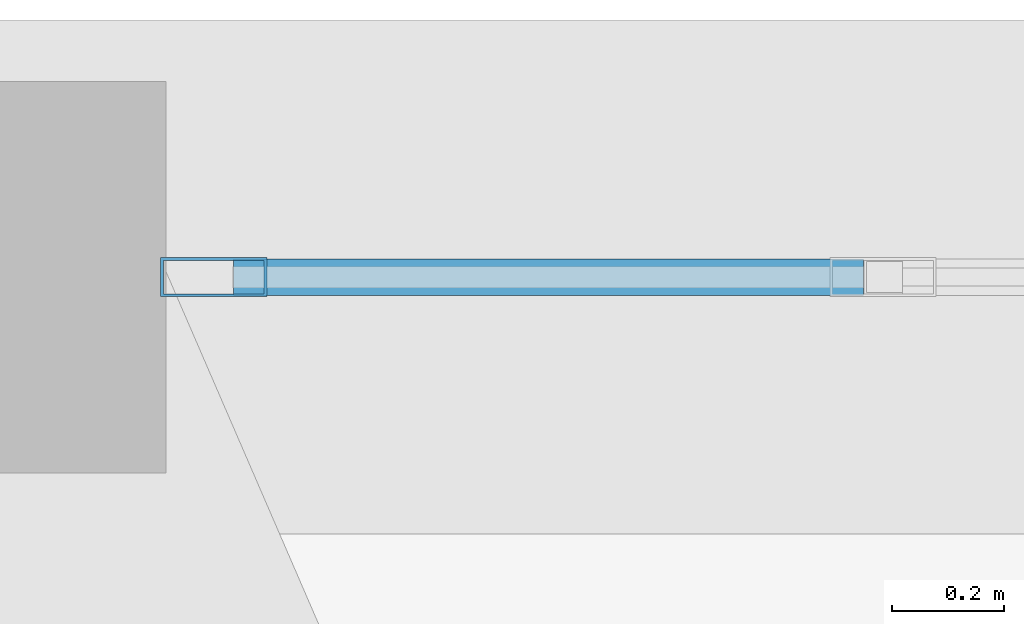
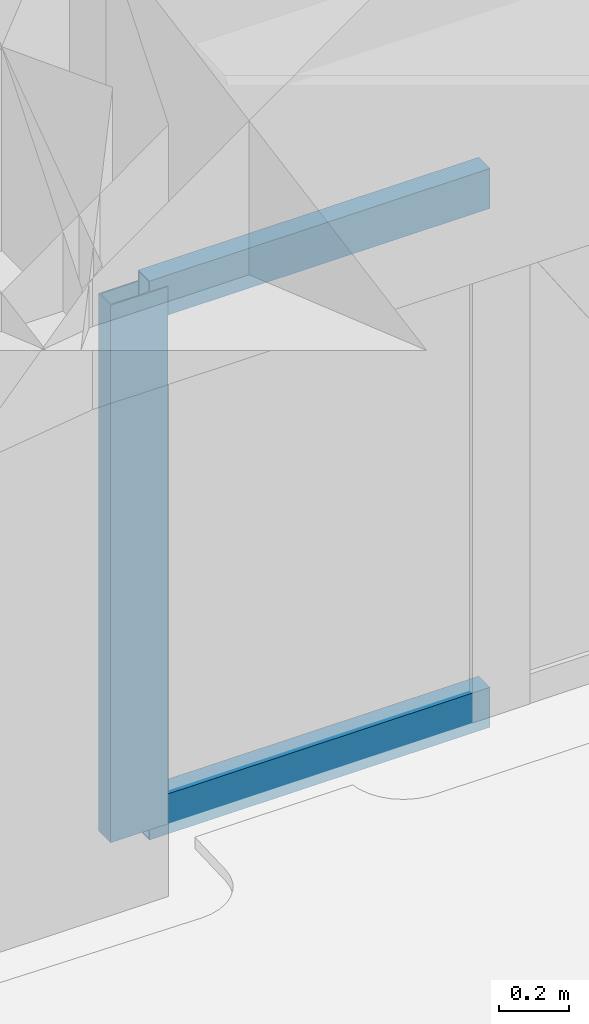
# One storey, part 9 of 16: 3 members, 1 element without a shape of its own.
"""IFC4 building model written with IfcOpenShell, lengths in metres."""

from ifc_helpers import new_model, si_unit, derived_unit, direction, frame, origin, origin_2d, place, context, subcontext, project, spatial, hollow_rectangle, extrude, source, transform, mapped, material, layer, layer_set, material_profile, profile_set, type_object, element, aggregate, save


model = new_model("IFC4")

# Units and contexts
model_context = context("Model", 3, precision=1e-05, world=origin(), true_north=direction((0.0, 1.0)))
body_context = subcontext(model_context, "Body", "Model", "MODEL_VIEW")
ifc_project = project(units=[si_unit("LENGTHUNIT", "METRE"), si_unit("AREAUNIT", "SQUARE_METRE"), si_unit("VOLUMEUNIT", "CUBIC_METRE"), si_unit("PLANEANGLEUNIT", "RADIAN"), si_unit("MASSUNIT", "GRAM", prefix="KILO"), derived_unit("THERMALTRANSMITTANCEUNIT", [(si_unit("POWERUNIT", "WATT"), 1), (si_unit("LENGTHUNIT", "METRE"), -2), (si_unit("THERMODYNAMICTEMPERATUREUNIT", "KELVIN"), -1)])], contexts=[model_context])

# Site, building, storey
site_placement = place(None, origin())
site = spatial("IfcSite", under=ifc_project, at=site_placement, CompositionType="ELEMENT")
building_placement = place(site_placement, origin())
building = spatial("IfcBuilding", under=site, at=building_placement, Name="Korsvarv Bourse and Concert Hall", CompositionType="ELEMENT")
storey_placement = place(building_placement, frame((0.0, 0.0, 261.0)))
storey = spatial("IfcBuildingStorey", under=building, at=storey_placement, Name="L68", CompositionType="ELEMENT", Elevation=261.0)

# Curtain wall, members
ifc_material_1 = material(Name="Anodised aluminium and triple low-E glazing", Category="glass")
ifc_layer = layer(ifc_material_1, 0.199951171875)
ifc_layer_set = layer_set([ifc_layer], Name="Anodised aluminium and triple low-E glazing")
curtain_wall_type = type_object("IfcCurtainWallType", Name="CW-SYS-3", PredefinedType="NOTDEFINED", material=ifc_layer_set)
curtain_wall_placement = place(storey_placement, origin())
curtain_wall = element("IfcCurtainWall", 1, at=curtain_wall_placement, inside=storey, type_object=curtain_wall_type, Name="L68 CW3 curtain wall CW-L68-F03", PredefinedType="NOTDEFINED")
ifc_material_2 = material(Name="Extruded aluminium EN AW-6063 T66", Category="aluminium")
ifc_material_profile_1 = material_profile(ifc_material_2, hollow_rectangle(XDim=0.070068359375, YDim=0.18994140625, WallThickness=0.0048828125, at=origin_2d()), Name="ALU-M 70x190")
ifc_profile_set_1 = profile_set([ifc_material_profile_1], Name="Extruded aluminium EN AW-6063 T66")
member_type_1 = type_object("IfcMemberType", Name="CWM-190", PredefinedType="MULLION", material=ifc_profile_set_1)
shared_shape_1 = source(origin(), body_context, "Body", "SweptSolid", [
    extrude(hollow_rectangle(XDim=0.070068359375, YDim=0.18994140625, WallThickness=0.0048828125, at=origin_2d()), origin(), (0.0, 0.0, 1.0), 1.8798828125),
])
member_1_placement = place(storey_placement, frame((30.4892578125, 50.82275390625, 0.0), z_axis=(0.0, 0.0, 1.0), x_axis=(0.0, -1.0, 0.0)))
member_1 = element("IfcMember", 2, at=member_1_placement, type_object=member_type_1, Name="CW3 mullion 10", PredefinedType="MULLION", context=body_context, shape_type="MappedRepresentation", body=[
    mapped(shared_shape_1, transform((0.0, 0.0, 0.0), scale=1.0)),
])
ifc_material_profile_2 = material_profile(ifc_material_2, hollow_rectangle(XDim=0.06494140625, YDim=0.139892578125, WallThickness=0.00390625, at=origin_2d()), Name="ALU-T 65x140")
ifc_profile_set_2 = profile_set([ifc_material_profile_2], Name="Extruded aluminium EN AW-6063 T66")
member_type_2 = type_object("IfcMemberType", Name="CWT-140", PredefinedType="USERDEFINED", material=ifc_profile_set_2)
shared_shape_2 = source(origin(), body_context, "Body", "SweptSolid", [
    extrude(hollow_rectangle(XDim=0.06494140625, YDim=0.139892578125, WallThickness=0.00390625, at=origin_2d()), origin(), (0.0, 0.0, 1.0), 1.127197265625),
])
member_2_placement = place(storey_placement, frame((31.651611328125, 50.82275390625, 0.032470703125), z_axis=(-1.0, 0.0, 0.0), x_axis=(0.0, -1.0, 0.0)))
member_2 = element("IfcMember", 3, at=member_2_placement, type_object=member_type_2, Name="CW3 transom 9.1", ObjectType="TRANSOM", PredefinedType="USERDEFINED", context=body_context, shape_type="MappedRepresentation", body=[
    mapped(shared_shape_2, transform((0.0, 0.0, 0.0), scale=1.0)),
])
member_3_placement = place(storey_placement, frame((31.651611328125, 50.82275390625, 1.847412109375), z_axis=(-1.0, 0.0, 0.0), x_axis=(0.0, -1.0, 0.0)))
member_3 = element("IfcMember", 4, at=member_3_placement, type_object=member_type_2, Name="CW3 transom 9.2", ObjectType="TRANSOM", PredefinedType="USERDEFINED", context=body_context, shape_type="MappedRepresentation", body=[
    mapped(shared_shape_2, transform((0.0, 0.0, 0.0), scale=1.0)),
])
aggregate(curtain_wall, [member_1, member_2, member_3])

save(model, "model.ifc")
